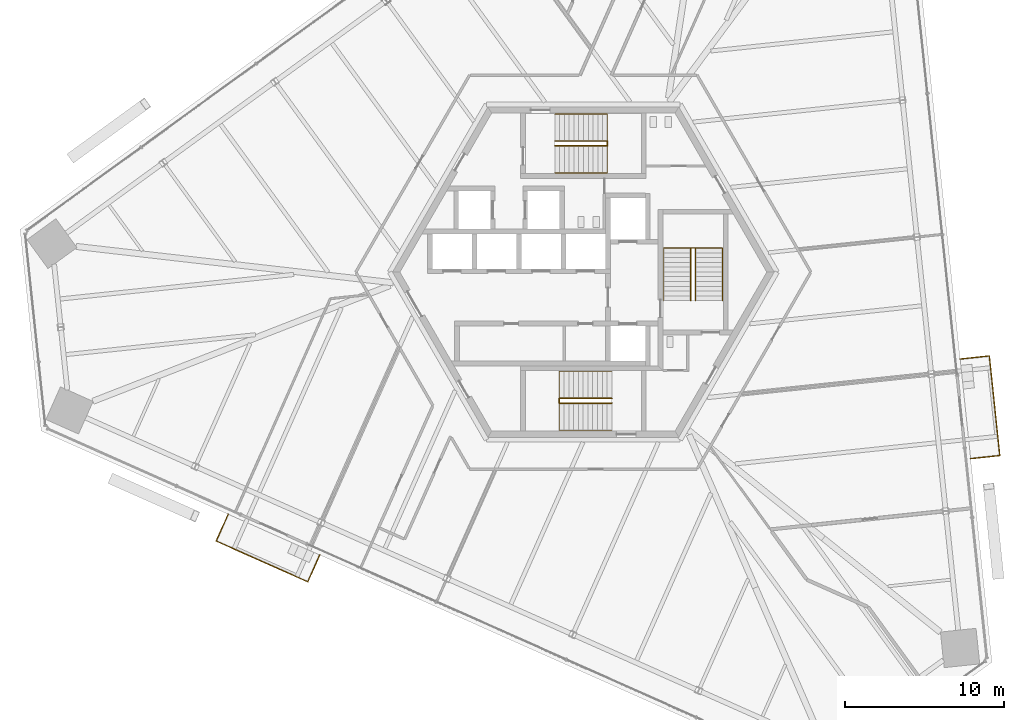
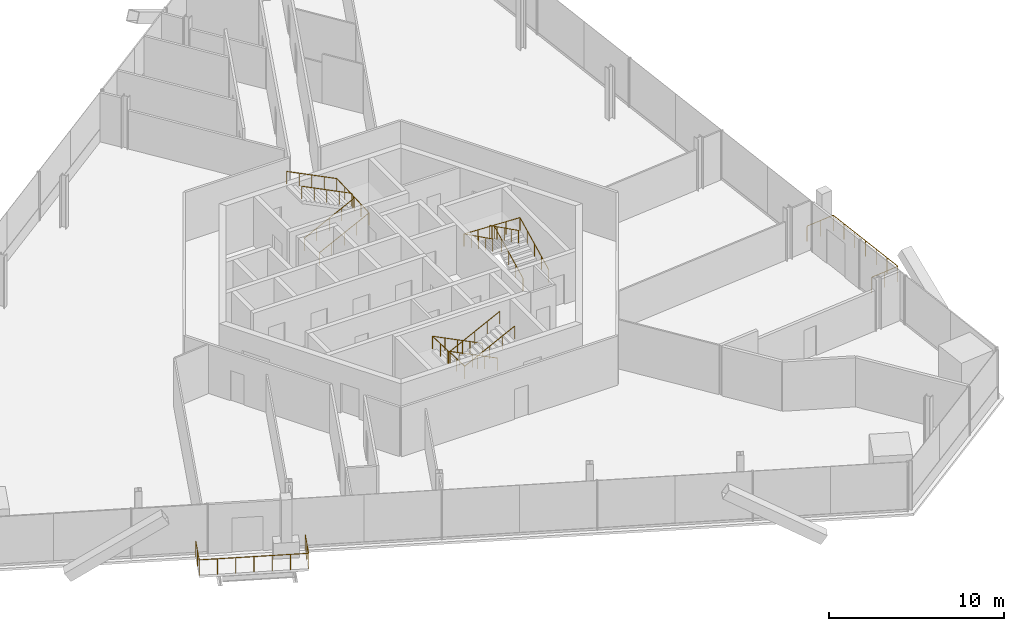
# One storey, part 14 of 17: 8 railings.
"""IFC4 building model written with IfcOpenShell, lengths in metres."""

from ifc_helpers import new_model, si_unit, direction, frame, origin, origin_2d, place, context, subcontext, project, spatial, circle, extrude, source, transform, mapped, material, type_object, element, save


model = new_model("IFC4")

# Units and contexts
model_context = context("Model", 3, precision=1e-05, world=origin(), true_north=direction((0.0, 1.0)))
body_context = subcontext(model_context, "Body", "Model", "MODEL_VIEW")
ifc_project = project(units=[si_unit("LENGTHUNIT", "METRE"), si_unit("AREAUNIT", "SQUARE_METRE"), si_unit("VOLUMEUNIT", "CUBIC_METRE"), si_unit("PLANEANGLEUNIT", "RADIAN"), si_unit("MASSUNIT", "GRAM", prefix="KILO")], contexts=[model_context])

# Site, building, storey
site_placement = place(None, origin())
site = spatial("IfcSite", under=ifc_project, at=site_placement, CompositionType="ELEMENT")
building_placement = place(site_placement, origin())
building = spatial("IfcBuilding", under=site, at=building_placement, Name="Triune Harvest Tower", CompositionType="ELEMENT")
storey_placement = place(building_placement, frame((0.0, 0.0, 62.10009765625)))
storey = spatial("IfcBuildingStorey", under=building, at=storey_placement, Name="L14", CompositionType="ELEMENT", Elevation=62.10009765625)

# Railings
ifc_material_1 = material(Name="Stainless steel AISI 316", Category="steel")
railing_type_1 = type_object("IfcRailingType", Name="Stair handrail", PredefinedType="HANDRAIL", material=ifc_material_1)
shared_shape_1 = source(origin(), body_context, "Body", "SweptSolid", [
    extrude(circle(Radius=0.02392578125, at=origin_2d()), frame((0.0, 0.0, 0.8759765625), z_axis=(0.894440424912, 0.0, 0.447187126696), x_axis=(0.0, 1.0, 0.0)), (0.0, 0.0, 1.0), 3.689453125),
    extrude(circle(Radius=0.02392578125, at=origin_2d()), frame((3.300048828125, 0.0, 2.52587890625), z_axis=(0.0, 0.999177620331, 0.040547293732), x_axis=(-1.0, 0.0, 0.0)), (0.0, 0.0, 1.0), 3.702880859375),
    extrude(circle(Radius=0.02392578125, at=origin_2d()), frame((3.300048828125, 3.699951171875, 2.67578125), z_axis=(-0.894440424912, 0.0, 0.447187126696), x_axis=(0.0, -1.0, 0.0)), (0.0, 0.0, 1.0), 3.689453125),
    extrude(circle(Radius=0.02099609375, at=origin_2d()), origin(), (0.0, 0.0, 1.0), 0.851806640625),
    extrude(circle(Radius=0.02099609375, at=origin_2d()), frame((0.824951171875, 0.0, 0.41259765625)), (0.0, 0.0, 1.0), 0.851806640625),
    extrude(circle(Radius=0.02099609375, at=origin_2d()), frame((1.64990234375, 0.0, 0.824951171875)), (0.0, 0.0, 1.0), 0.851806640625),
    extrude(circle(Radius=0.02099609375, at=origin_2d()), frame((2.47509765625, 0.0, 1.2373046875)), (0.0, 0.0, 1.0), 0.851806640625),
    extrude(circle(Radius=0.02099609375, at=origin_2d()), frame((3.300048828125, 0.0, 1.64990234375)), (0.0, 0.0, 1.0), 0.851806640625),
    extrude(circle(Radius=0.02099609375, at=origin_2d()), frame((3.300048828125, 0.925048828125, 1.6875)), (0.0, 0.0, 1.0), 0.851806640625),
    extrude(circle(Radius=0.02099609375, at=origin_2d()), frame((3.300048828125, 1.85009765625, 1.72509765625)), (0.0, 0.0, 1.0), 0.851806640625),
    extrude(circle(Radius=0.02099609375, at=origin_2d()), frame((3.300048828125, 2.77490234375, 1.762451171875)), (0.0, 0.0, 1.0), 0.851806640625),
    extrude(circle(Radius=0.02099609375, at=origin_2d()), frame((3.300048828125, 3.699951171875, 1.800048828125)), (0.0, 0.0, 1.0), 0.851806640625),
    extrude(circle(Radius=0.02099609375, at=origin_2d()), frame((2.47509765625, 3.699951171875, 2.21240234375)), (0.0, 0.0, 1.0), 0.851806640625),
    extrude(circle(Radius=0.02099609375, at=origin_2d()), frame((1.64990234375, 3.699951171875, 2.625)), (0.0, 0.0, 1.0), 0.851806640625),
    extrude(circle(Radius=0.02099609375, at=origin_2d()), frame((0.824951171875, 3.699951171875, 3.03759765625)), (0.0, 0.0, 1.0), 0.851806640625),
    extrude(circle(Radius=0.02099609375, at=origin_2d()), frame((0.0, 3.699951171875, 3.449951171875)), (0.0, 0.0, 1.0), 0.851806640625),
])
railing_1_placement = place(storey_placement, frame((-1.7900390625, 6.239990234375, 0.14990234375)))
element("IfcRailing", 1, at=railing_1_placement, inside=storey, type_object=railing_type_1, Name="Exit stair north wall handrail", PredefinedType="HANDRAIL", context=body_context, shape_type="MappedRepresentation", body=[
    mapped(shared_shape_1, transform((0.0, 0.0, 0.0), scale=1.0)),
])
shared_shape_2 = source(origin(), body_context, "Body", "SweptSolid", [
    extrude(circle(Radius=0.02392578125, at=origin_2d()), frame((0.0, 0.0, 0.8759765625), z_axis=(0.894440424912, 0.0, 0.447187126696), x_axis=(0.0, 1.0, 0.0)), (0.0, 0.0, 1.0), 3.689453125),
    extrude(circle(Radius=0.02392578125, at=origin_2d()), frame((3.300048828125, 0.0, 2.52587890625), z_axis=(0.0, 0.894281613681, 0.447504631744), x_axis=(-1.0, 0.0, 0.0)), (0.0, 0.0, 1.0), 0.33544921875),
    extrude(circle(Radius=0.02392578125, at=origin_2d()), frame((3.300048828125, 0.300048828125, 2.67578125), z_axis=(-0.894440424912, 0.0, 0.447187126696), x_axis=(0.0, -1.0, 0.0)), (0.0, 0.0, 1.0), 3.689453125),
    extrude(circle(Radius=0.02099609375, at=origin_2d()), origin(), (0.0, 0.0, 1.0), 0.851806640625),
    extrude(circle(Radius=0.02099609375, at=origin_2d()), frame((0.824951171875, 0.0, 0.41259765625)), (0.0, 0.0, 1.0), 0.851806640625),
    extrude(circle(Radius=0.02099609375, at=origin_2d()), frame((1.64990234375, 0.0, 0.824951171875)), (0.0, 0.0, 1.0), 0.851806640625),
    extrude(circle(Radius=0.02099609375, at=origin_2d()), frame((2.47509765625, 0.0, 1.2373046875)), (0.0, 0.0, 1.0), 0.851806640625),
    extrude(circle(Radius=0.02099609375, at=origin_2d()), frame((3.300048828125, 0.0, 1.64990234375)), (0.0, 0.0, 1.0), 0.851806640625),
    extrude(circle(Radius=0.02099609375, at=origin_2d()), frame((3.300048828125, 0.300048828125, 1.800048828125)), (0.0, 0.0, 1.0), 0.851806640625),
    extrude(circle(Radius=0.02099609375, at=origin_2d()), frame((2.47509765625, 0.300048828125, 2.21240234375)), (0.0, 0.0, 1.0), 0.851806640625),
    extrude(circle(Radius=0.02099609375, at=origin_2d()), frame((1.64990234375, 0.300048828125, 2.625)), (0.0, 0.0, 1.0), 0.851806640625),
    extrude(circle(Radius=0.02099609375, at=origin_2d()), frame((0.824951171875, 0.300048828125, 3.03759765625)), (0.0, 0.0, 1.0), 0.851806640625),
    extrude(circle(Radius=0.02099609375, at=origin_2d()), frame((0.0, 0.300048828125, 3.449951171875)), (0.0, 0.0, 1.0), 0.851806640625),
])
railing_2_placement = place(storey_placement, frame((-1.7900390625, 7.93994140625, 0.14990234375)))
element("IfcRailing", 2, at=railing_2_placement, inside=storey, type_object=railing_type_1, Name="Exit stair north centre handrail", PredefinedType="HANDRAIL", context=body_context, shape_type="MappedRepresentation", body=[
    mapped(shared_shape_2, transform((0.0, 0.0, 0.0), scale=1.0)),
])
shared_shape_3 = source(origin(), body_context, "Body", "SweptSolid", [
    extrude(circle(Radius=0.02392578125, at=origin_2d()), frame((0.0, 0.0, 0.8759765625), z_axis=(-0.894440424912, 0.0, 0.447187126696), x_axis=(0.0, -1.0, 0.0)), (0.0, 0.0, 1.0), 3.689453125),
    extrude(circle(Radius=0.02392578125, at=origin_2d()), frame((-3.300048828125, 0.0, 2.52587890625), z_axis=(0.0, -0.999177620331, 0.040547293732), x_axis=(1.0, 0.0, 0.0)), (0.0, 0.0, 1.0), 3.702880859375),
    extrude(circle(Radius=0.02392578125, at=origin_2d()), frame((-3.300048828125, -3.699951171875, 2.67578125), z_axis=(0.894440424912, 0.0, 0.447187126696), x_axis=(0.0, 1.0, 0.0)), (0.0, 0.0, 1.0), 3.689453125),
    extrude(circle(Radius=0.02099609375, at=origin_2d()), origin(), (0.0, 0.0, 1.0), 0.851806640625),
    extrude(circle(Radius=0.02099609375, at=origin_2d()), frame((-0.824951171875, 0.0, 0.41259765625)), (0.0, 0.0, 1.0), 0.851806640625),
    extrude(circle(Radius=0.02099609375, at=origin_2d()), frame((-1.64990234375, 0.0, 0.824951171875)), (0.0, 0.0, 1.0), 0.851806640625),
    extrude(circle(Radius=0.02099609375, at=origin_2d()), frame((-2.47509765625, 0.0, 1.2373046875)), (0.0, 0.0, 1.0), 0.851806640625),
    extrude(circle(Radius=0.02099609375, at=origin_2d()), frame((-3.300048828125, 0.0, 1.64990234375)), (0.0, 0.0, 1.0), 0.851806640625),
    extrude(circle(Radius=0.02099609375, at=origin_2d()), frame((-3.300048828125, -0.925048828125, 1.6875)), (0.0, 0.0, 1.0), 0.851806640625),
    extrude(circle(Radius=0.02099609375, at=origin_2d()), frame((-3.300048828125, -1.85009765625, 1.72509765625)), (0.0, 0.0, 1.0), 0.851806640625),
    extrude(circle(Radius=0.02099609375, at=origin_2d()), frame((-3.300048828125, -2.77490234375, 1.762451171875)), (0.0, 0.0, 1.0), 0.851806640625),
    extrude(circle(Radius=0.02099609375, at=origin_2d()), frame((-3.300048828125, -3.699951171875, 1.800048828125)), (0.0, 0.0, 1.0), 0.851806640625),
    extrude(circle(Radius=0.02099609375, at=origin_2d()), frame((-2.47509765625, -3.699951171875, 2.21240234375)), (0.0, 0.0, 1.0), 0.851806640625),
    extrude(circle(Radius=0.02099609375, at=origin_2d()), frame((-1.64990234375, -3.699951171875, 2.625)), (0.0, 0.0, 1.0), 0.851806640625),
    extrude(circle(Radius=0.02099609375, at=origin_2d()), frame((-0.824951171875, -3.699951171875, 3.03759765625)), (0.0, 0.0, 1.0), 0.851806640625),
    extrude(circle(Radius=0.02099609375, at=origin_2d()), frame((0.0, -3.699951171875, 3.449951171875)), (0.0, 0.0, 1.0), 0.851806640625),
])
railing_3_placement = place(storey_placement, frame((1.7900390625, -6.239990234375, 0.14990234375)))
element("IfcRailing", 3, at=railing_3_placement, inside=storey, type_object=railing_type_1, Name="Exit stair south wall handrail", PredefinedType="HANDRAIL", context=body_context, shape_type="MappedRepresentation", body=[
    mapped(shared_shape_3, transform((0.0, 0.0, 0.0), scale=1.0)),
])
shared_shape_4 = source(origin(), body_context, "Body", "SweptSolid", [
    extrude(circle(Radius=0.02392578125, at=origin_2d()), frame((0.0, 0.0, 0.8759765625), z_axis=(-0.894440424912, 0.0, 0.447187126696), x_axis=(0.0, -1.0, 0.0)), (0.0, 0.0, 1.0), 3.689453125),
    extrude(circle(Radius=0.02392578125, at=origin_2d()), frame((-3.300048828125, 0.0, 2.52587890625), z_axis=(0.0, -0.894281613681, 0.447504631744), x_axis=(1.0, 0.0, 0.0)), (0.0, 0.0, 1.0), 0.33544921875),
    extrude(circle(Radius=0.02392578125, at=origin_2d()), frame((-3.300048828125, -0.300048828125, 2.67578125), z_axis=(0.894440424912, 0.0, 0.447187126696), x_axis=(0.0, 1.0, 0.0)), (0.0, 0.0, 1.0), 3.689453125),
    extrude(circle(Radius=0.02099609375, at=origin_2d()), origin(), (0.0, 0.0, 1.0), 0.851806640625),
    extrude(circle(Radius=0.02099609375, at=origin_2d()), frame((-0.824951171875, 0.0, 0.41259765625)), (0.0, 0.0, 1.0), 0.851806640625),
    extrude(circle(Radius=0.02099609375, at=origin_2d()), frame((-1.64990234375, 0.0, 0.824951171875)), (0.0, 0.0, 1.0), 0.851806640625),
    extrude(circle(Radius=0.02099609375, at=origin_2d()), frame((-2.47509765625, 0.0, 1.2373046875)), (0.0, 0.0, 1.0), 0.851806640625),
    extrude(circle(Radius=0.02099609375, at=origin_2d()), frame((-3.300048828125, 0.0, 1.64990234375)), (0.0, 0.0, 1.0), 0.851806640625),
    extrude(circle(Radius=0.02099609375, at=origin_2d()), frame((-3.300048828125, -0.300048828125, 1.800048828125)), (0.0, 0.0, 1.0), 0.851806640625),
    extrude(circle(Radius=0.02099609375, at=origin_2d()), frame((-2.47509765625, -0.300048828125, 2.21240234375)), (0.0, 0.0, 1.0), 0.851806640625),
    extrude(circle(Radius=0.02099609375, at=origin_2d()), frame((-1.64990234375, -0.300048828125, 2.625)), (0.0, 0.0, 1.0), 0.851806640625),
    extrude(circle(Radius=0.02099609375, at=origin_2d()), frame((-0.824951171875, -0.300048828125, 3.03759765625)), (0.0, 0.0, 1.0), 0.851806640625),
    extrude(circle(Radius=0.02099609375, at=origin_2d()), frame((0.0, -0.300048828125, 3.449951171875)), (0.0, 0.0, 1.0), 0.851806640625),
])
railing_4_placement = place(storey_placement, frame((1.7900390625, -7.93994140625, 0.14990234375)))
element("IfcRailing", 4, at=railing_4_placement, inside=storey, type_object=railing_type_1, Name="Exit stair south centre handrail", PredefinedType="HANDRAIL", context=body_context, shape_type="MappedRepresentation", body=[
    mapped(shared_shape_4, transform((0.0, 0.0, 0.0), scale=1.0)),
])
shared_shape_5 = source(origin(), body_context, "Body", "SweptSolid", [
    extrude(circle(Radius=0.02392578125, at=origin_2d()), frame((0.0, 0.0, 0.8759765625), z_axis=(0.0, 0.894440424912, 0.447187126696), x_axis=(-1.0, 0.0, 0.0)), (0.0, 0.0, 1.0), 3.689453125),
    extrude(circle(Radius=0.02392578125, at=origin_2d()), frame((0.0, 3.300048828125, 2.52587890625), z_axis=(-0.999177620331, 0.0, 0.040547293732), x_axis=(0.0, -1.0, 0.0)), (0.0, 0.0, 1.0), 3.702880859375),
    extrude(circle(Radius=0.02392578125, at=origin_2d()), frame((-3.699951171875, 3.300048828125, 2.67578125), z_axis=(0.0, -0.894440424912, 0.447187126696), x_axis=(1.0, 0.0, 0.0)), (0.0, 0.0, 1.0), 3.689453125),
    extrude(circle(Radius=0.02099609375, at=origin_2d()), origin(), (0.0, 0.0, 1.0), 0.851806640625),
    extrude(circle(Radius=0.02099609375, at=origin_2d()), frame((0.0, 0.824951171875, 0.41259765625)), (0.0, 0.0, 1.0), 0.851806640625),
    extrude(circle(Radius=0.02099609375, at=origin_2d()), frame((0.0, 1.64990234375, 0.824951171875)), (0.0, 0.0, 1.0), 0.851806640625),
    extrude(circle(Radius=0.02099609375, at=origin_2d()), frame((0.0, 2.47509765625, 1.2373046875)), (0.0, 0.0, 1.0), 0.851806640625),
    extrude(circle(Radius=0.02099609375, at=origin_2d()), frame((0.0, 3.300048828125, 1.64990234375)), (0.0, 0.0, 1.0), 0.851806640625),
    extrude(circle(Radius=0.02099609375, at=origin_2d()), frame((-0.925048828125, 3.300048828125, 1.6875)), (0.0, 0.0, 1.0), 0.851806640625),
    extrude(circle(Radius=0.02099609375, at=origin_2d()), frame((-1.85009765625, 3.300048828125, 1.72509765625)), (0.0, 0.0, 1.0), 0.851806640625),
    extrude(circle(Radius=0.02099609375, at=origin_2d()), frame((-2.77490234375, 3.300048828125, 1.762451171875)), (0.0, 0.0, 1.0), 0.851806640625),
    extrude(circle(Radius=0.02099609375, at=origin_2d()), frame((-3.699951171875, 3.300048828125, 1.800048828125)), (0.0, 0.0, 1.0), 0.851806640625),
    extrude(circle(Radius=0.02099609375, at=origin_2d()), frame((-3.699951171875, 2.47509765625, 2.21240234375)), (0.0, 0.0, 1.0), 0.851806640625),
    extrude(circle(Radius=0.02099609375, at=origin_2d()), frame((-3.699951171875, 1.64990234375, 2.625)), (0.0, 0.0, 1.0), 0.851806640625),
    extrude(circle(Radius=0.02099609375, at=origin_2d()), frame((-3.699951171875, 0.824951171875, 3.03759765625)), (0.0, 0.0, 1.0), 0.851806640625),
    extrude(circle(Radius=0.02099609375, at=origin_2d()), frame((-3.699951171875, 0.0, 3.449951171875)), (0.0, 0.0, 1.0), 0.851806640625),
])
railing_5_placement = place(storey_placement, frame((8.75, -1.7900390625, 0.14990234375)))
element("IfcRailing", 5, at=railing_5_placement, inside=storey, type_object=railing_type_1, Name="Exit stair east wall handrail", PredefinedType="HANDRAIL", context=body_context, shape_type="MappedRepresentation", body=[
    mapped(shared_shape_5, transform((0.0, 0.0, 0.0), scale=1.0)),
])
shared_shape_6 = source(origin(), body_context, "Body", "SweptSolid", [
    extrude(circle(Radius=0.02392578125, at=origin_2d()), frame((0.0, 0.0, 0.8759765625), z_axis=(0.0, 0.894440424912, 0.447187126696), x_axis=(-1.0, 0.0, 0.0)), (0.0, 0.0, 1.0), 3.689453125),
    extrude(circle(Radius=0.02392578125, at=origin_2d()), frame((0.0, 3.300048828125, 2.52587890625), z_axis=(-0.894281613681, 0.0, 0.447504631744), x_axis=(0.0, -1.0, 0.0)), (0.0, 0.0, 1.0), 0.33544921875),
    extrude(circle(Radius=0.02392578125, at=origin_2d()), frame((-0.300048828125, 3.300048828125, 2.67578125), z_axis=(0.0, -0.894440424912, 0.447187126696), x_axis=(1.0, 0.0, 0.0)), (0.0, 0.0, 1.0), 3.689453125),
    extrude(circle(Radius=0.02099609375, at=origin_2d()), origin(), (0.0, 0.0, 1.0), 0.851806640625),
    extrude(circle(Radius=0.02099609375, at=origin_2d()), frame((0.0, 0.824951171875, 0.41259765625)), (0.0, 0.0, 1.0), 0.851806640625),
    extrude(circle(Radius=0.02099609375, at=origin_2d()), frame((0.0, 1.64990234375, 0.824951171875)), (0.0, 0.0, 1.0), 0.851806640625),
    extrude(circle(Radius=0.02099609375, at=origin_2d()), frame((0.0, 2.47509765625, 1.2373046875)), (0.0, 0.0, 1.0), 0.851806640625),
    extrude(circle(Radius=0.02099609375, at=origin_2d()), frame((0.0, 3.300048828125, 1.64990234375)), (0.0, 0.0, 1.0), 0.851806640625),
    extrude(circle(Radius=0.02099609375, at=origin_2d()), frame((-0.300048828125, 3.300048828125, 1.800048828125)), (0.0, 0.0, 1.0), 0.851806640625),
    extrude(circle(Radius=0.02099609375, at=origin_2d()), frame((-0.300048828125, 2.47509765625, 2.21240234375)), (0.0, 0.0, 1.0), 0.851806640625),
    extrude(circle(Radius=0.02099609375, at=origin_2d()), frame((-0.300048828125, 1.64990234375, 2.625)), (0.0, 0.0, 1.0), 0.851806640625),
    extrude(circle(Radius=0.02099609375, at=origin_2d()), frame((-0.300048828125, 0.824951171875, 3.03759765625)), (0.0, 0.0, 1.0), 0.851806640625),
    extrude(circle(Radius=0.02099609375, at=origin_2d()), frame((-0.300048828125, 0.0, 3.449951171875)), (0.0, 0.0, 1.0), 0.851806640625),
])
railing_6_placement = place(storey_placement, frame((7.050048828125, -1.7900390625, 0.14990234375)))
element("IfcRailing", 6, at=railing_6_placement, inside=storey, type_object=railing_type_1, Name="Exit stair east centre handrail", PredefinedType="HANDRAIL", context=body_context, shape_type="MappedRepresentation", body=[
    mapped(shared_shape_6, transform((0.0, 0.0, 0.0), scale=1.0)),
])
ifc_material_2 = material(Name="Glass", Category="glass")
railing_type_2 = type_object("IfcRailingType", Name="GD-2 balcony guard 1100", PredefinedType="GUARDRAIL", material=ifc_material_2)
shared_shape_7 = source(origin(), body_context, "Body", "SweptSolid", [
    extrude(circle(Radius=0.02392578125, at=origin_2d()), frame((0.0, 0.0, 1.076171875), z_axis=(0.99451994617, 0.104547006983, 0.0), x_axis=(-0.104547006983, 0.99451994617, 0.0)), (0.0, 0.0, 1.0), 1.8447265625),
    extrude(circle(Radius=0.02392578125, at=origin_2d()), frame((1.834716796875, 0.19287109375, 1.076171875), z_axis=(-0.104527477724, 0.994521998953, 0.0), x_axis=(-0.994521998953, -0.104527477724, 0.0)), (0.0, 0.0, 1.0), 6.301513671875),
    extrude(circle(Radius=0.02392578125, at=origin_2d()), frame((1.176025390625, 6.4599609375, 1.076171875), z_axis=(-0.994533697468, -0.104416112748, 0.0), x_axis=(0.104416112748, -0.994533697468, 0.0)), (0.0, 0.0, 1.0), 1.8447265625),
    extrude(circle(Radius=0.02099609375, at=origin_2d()), origin(), (0.0, 0.0, 1.0), 1.052001953125),
    extrude(circle(Radius=0.02099609375, at=origin_2d()), frame((0.91748046875, 0.096435546875, 0.0)), (0.0, 0.0, 1.0), 1.052001953125),
    extrude(circle(Radius=0.02099609375, at=origin_2d()), frame((1.834716796875, 0.19287109375, 0.0)), (0.0, 0.0, 1.0), 1.052001953125),
    extrude(circle(Radius=0.02099609375, at=origin_2d()), frame((1.724853515625, 1.2373046875, 0.0)), (0.0, 0.0, 1.0), 1.052001953125),
    extrude(circle(Radius=0.02099609375, at=origin_2d()), frame((1.615234375, 2.281982421875, 0.0)), (0.0, 0.0, 1.0), 1.052001953125),
    extrude(circle(Radius=0.02099609375, at=origin_2d()), frame((1.50537109375, 3.326416015625, 0.0)), (0.0, 0.0, 1.0), 1.052001953125),
    extrude(circle(Radius=0.02099609375, at=origin_2d()), frame((1.3955078125, 4.370849609375, 0.0)), (0.0, 0.0, 1.0), 1.052001953125),
    extrude(circle(Radius=0.02099609375, at=origin_2d()), frame((1.285888671875, 5.41552734375, 0.0)), (0.0, 0.0, 1.0), 1.052001953125),
    extrude(circle(Radius=0.02099609375, at=origin_2d()), frame((1.176025390625, 6.4599609375, 0.0)), (0.0, 0.0, 1.0), 1.052001953125),
    extrude(circle(Radius=0.02099609375, at=origin_2d()), frame((0.2587890625, 6.36376953125, 0.0)), (0.0, 0.0, 1.0), 1.052001953125),
    extrude(circle(Radius=0.02099609375, at=origin_2d()), frame((-0.65869140625, 6.267333984375, 0.0)), (0.0, 0.0, 1.0), 1.052001953125),
])
railing_7_placement = place(storey_placement, frame((24.357421875, -11.732177734375, 0.0)))
element("IfcRailing", 7, at=railing_7_placement, inside=storey, type_object=railing_type_2, Name="Balcony guard B2-F1 L14.4", PredefinedType="GUARDRAIL", context=body_context, shape_type="MappedRepresentation", body=[
    mapped(shared_shape_7, transform((0.0, 0.0, 0.0), scale=1.0)),
])
shared_shape_8 = source(origin(), body_context, "Body", "SweptSolid", [
    extrude(circle(Radius=0.02392578125, at=origin_2d()), frame((0.0, 0.0, 1.076171875), z_axis=(-0.406740135234, -0.913543902826, 0.0), x_axis=(0.913543902826, -0.406740135234, 0.0)), (0.0, 0.0, 1.0), 1.844482421875),
    extrude(circle(Radius=0.02392578125, at=origin_2d()), frame((-0.750244140625, -1.68505859375, 1.076171875), z_axis=(0.91353815034, -0.406753055149, 0.0), x_axis=(0.406753055149, 0.91353815034, 0.0)), (0.0, 0.0, 1.0), 6.3017578125),
    extrude(circle(Radius=0.02392578125, at=origin_2d()), frame((5.006591796875, -4.248291015625, 1.076171875), z_axis=(0.406690959187, 0.913565796052, 0.0), x_axis=(-0.913565796052, 0.406690959187, 0.0)), (0.0, 0.0, 1.0), 1.8447265625),
    extrude(circle(Radius=0.02099609375, at=origin_2d()), origin(), (0.0, 0.0, 1.0), 1.052001953125),
    extrude(circle(Radius=0.02099609375, at=origin_2d()), frame((-0.375, -0.842529296875, 0.0)), (0.0, 0.0, 1.0), 1.052001953125),
    extrude(circle(Radius=0.02099609375, at=origin_2d()), frame((-0.750244140625, -1.68505859375, 0.0)), (0.0, 0.0, 1.0), 1.052001953125),
    extrude(circle(Radius=0.02099609375, at=origin_2d()), frame((0.209228515625, -2.1123046875, 0.0)), (0.0, 0.0, 1.0), 1.052001953125),
    extrude(circle(Radius=0.02099609375, at=origin_2d()), frame((1.168701171875, -2.53955078125, 0.0)), (0.0, 0.0, 1.0), 1.052001953125),
    extrude(circle(Radius=0.02099609375, at=origin_2d()), frame((2.128173828125, -2.966796875, 0.0)), (0.0, 0.0, 1.0), 1.052001953125),
    extrude(circle(Radius=0.02099609375, at=origin_2d()), frame((3.087646484375, -3.393798828125, 0.0)), (0.0, 0.0, 1.0), 1.052001953125),
    extrude(circle(Radius=0.02099609375, at=origin_2d()), frame((4.047119140625, -3.821044921875, 0.0)), (0.0, 0.0, 1.0), 1.052001953125),
    extrude(circle(Radius=0.02099609375, at=origin_2d()), frame((5.006591796875, -4.248291015625, 0.0)), (0.0, 0.0, 1.0), 1.052001953125),
    extrude(circle(Radius=0.02099609375, at=origin_2d()), frame((5.3818359375, -3.40576171875, 0.0)), (0.0, 0.0, 1.0), 1.052001953125),
    extrude(circle(Radius=0.02099609375, at=origin_2d()), frame((5.7568359375, -2.56298828125, 0.0)), (0.0, 0.0, 1.0), 1.052001953125),
])
railing_8_placement = place(storey_placement, frame((-22.339111328125, -15.228271484375, 0.0)))
element("IfcRailing", 8, at=railing_8_placement, inside=storey, type_object=railing_type_2, Name="Balcony guard B2-F5 L14.4", PredefinedType="GUARDRAIL", context=body_context, shape_type="MappedRepresentation", body=[
    mapped(shared_shape_8, transform((0.0, 0.0, 0.0), scale=1.0)),
])

save(model, "model.ifc")
